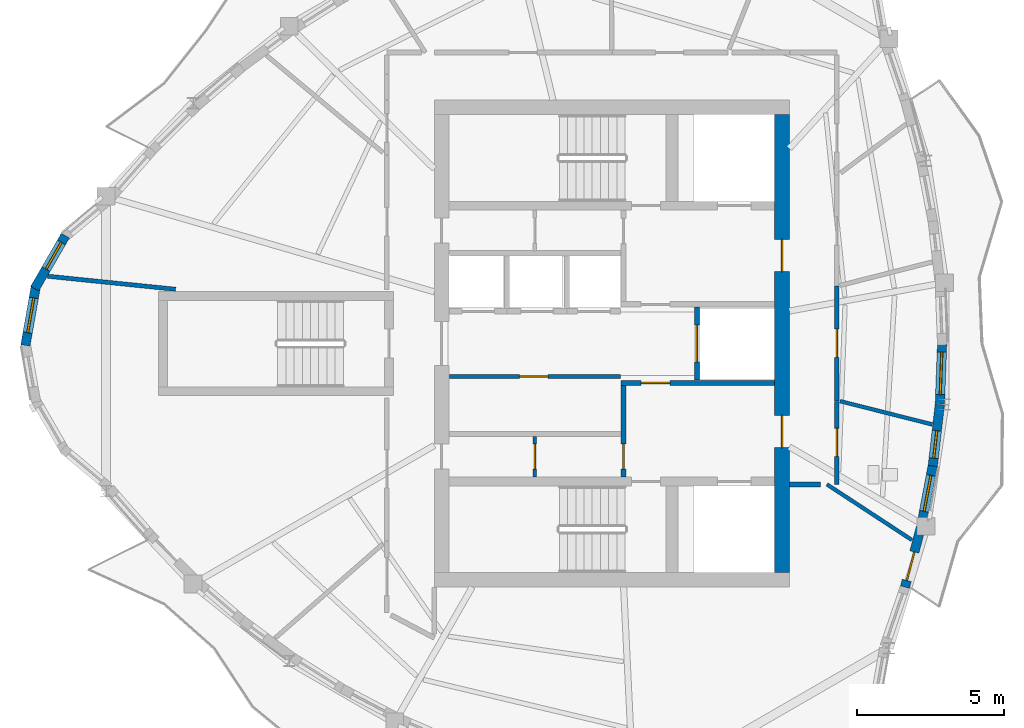
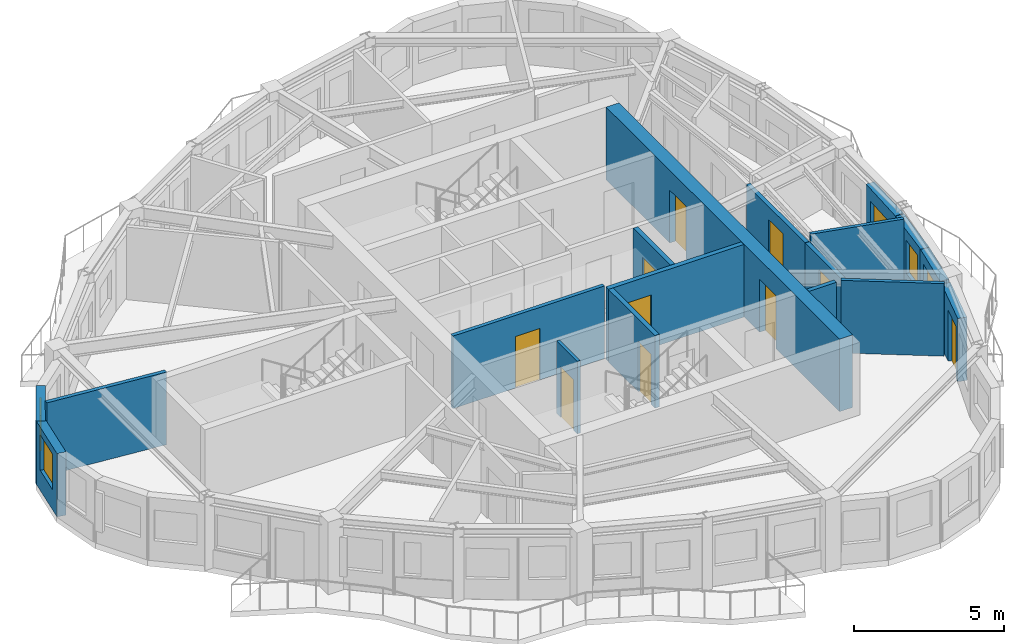
# One storey, part 4 of 11: 18 walls, 10 doors, 5 windows, 15 openings.
"""IFC4 building model written with IfcOpenShell, lengths in metres."""

from ifc_helpers import new_model, si_unit, direction, frame, frame_2d, origin, place, context, subcontext, project, spatial, rectangle, extrude, source, transform, mapped, material, layer, layer_set, type_object, element, fill, save


model = new_model("IFC4")

# Units and contexts
model_context = context("Model", 3, precision=1e-05, world=origin(), true_north=direction((0.0, 1.0)))
body_context = subcontext(model_context, "Body", "Model", "MODEL_VIEW")
ifc_project = project(units=[si_unit("LENGTHUNIT", "METRE"), si_unit("AREAUNIT", "SQUARE_METRE"), si_unit("VOLUMEUNIT", "CUBIC_METRE"), si_unit("PLANEANGLEUNIT", "RADIAN"), si_unit("MASSUNIT", "GRAM", prefix="KILO")], contexts=[model_context])

# Site, building, storey
site_placement = place(None, origin())
site = spatial("IfcSite", under=ifc_project, at=site_placement, CompositionType="ELEMENT")
building_placement = place(site_placement, origin())
building = spatial("IfcBuilding", under=site, at=building_placement, Name="Qafzar Sky-Pleat Residences", CompositionType="ELEMENT")
storey_placement = place(building_placement, frame((0.0, 0.0, 237.199951171875)))
storey = spatial("IfcBuildingStorey", under=building, at=storey_placement, Name="L71", CompositionType="ELEMENT", Elevation=237.199951171875)

# Wall, opening, door
ifc_material_1 = material(Name="Acoustic gypsum plasterboard partition", Category="gypsum")
ifc_layer_1 = layer(ifc_material_1, 0.159912109375)
ifc_layer_set_1 = layer_set([ifc_layer_1], Name="Acoustic gypsum plasterboard partition")
wall_type_1 = type_object("IfcWallType", Name="PART-COR-160", PredefinedType="PARTITIONING", material=ifc_layer_set_1)
wall_1_placement = place(storey_placement, frame((38.02001953125, 27.968994140625, 0.0), z_axis=(0.0, 0.0, 1.0), x_axis=(0.0, -1.0, 0.0)))
wall_1 = element("IfcWall", 1, at=wall_1_placement, inside=storey, type_object=wall_type_1, Name="L71 Partition Wall PART-L71-PW-005", PredefinedType="PARTITIONING", context=body_context, shape_type="SweptSolid", body=[
    extrude(rectangle(XDim=3.919921875, YDim=0.159912109375, at=frame_2d((1.9599609375, 0.0))), origin(), (0.0, 0.0, 1.0), 2.6279296875),
])
opening_1_placement = place(wall_1_placement, frame((1.4794921875, 0.0, 0.0)))
opening_1 = element("IfcOpeningElement", 2, at=opening_1_placement, cuts=wall_1, Name="Opening ID-06", PredefinedType="OPENING", context=body_context, shape_type="SweptSolid", body=[
    extrude(rectangle(XDim=0.9599609375, YDim=2.10009765625, at=frame_2d((0.47998046875, 1.050048828125))), frame((0.0, 0.08984375, 0.0), z_axis=(0.0, -1.0, 0.0), x_axis=(1.0, 0.0, 0.0)), (0.0, 0.0, 1.0), 0.179931640625),
])
ifc_material_2 = material(Name="Timber-faced fire door", Category="wood")
door_type_1 = type_object("IfcDoorType", Name="DR-STD-960", OperationType="NOTDEFINED", PredefinedType="DOOR", material=ifc_material_2)
shared_shape_1 = source(origin(), body_context, "Body", "SweptSolid", [
    extrude(rectangle(XDim=0.9599609375, YDim=2.10009765625, at=frame_2d((0.47998046875, 1.050048828125))), frame((0.0, 0.02490234375, 0.0), z_axis=(0.0, -1.0, 0.0), x_axis=(1.0, 0.0, 0.0)), (0.0, 0.0, 1.0), 0.050048828125),
])
door_1_placement = place(opening_1_placement, origin())
door_1 = element("IfcDoor", 3, at=door_1_placement, inside=storey, type_object=door_type_1, Name="L71 Media Screening Room Door", OperationType="SINGLE_SWING_RIGHT", OverallHeight=2.10009765625, OverallWidth=0.9599609375, PredefinedType="DOOR", context=body_context, shape_type="MappedRepresentation", body=[
    mapped(shared_shape_1, transform((0.0, 0.0, 0.0), x_axis=(1.0, 0.0, 0.0), y_axis=(0.0, 1.0, 0.0), z_axis=(0.0, 0.0, 1.0), scale=1.0)),
])
fill(opening_1, door_1)

wall_2_placement = place(storey_placement, frame((38.02001953125, 24.033935546875, 0.0), z_axis=(0.0, 0.0, 1.0), x_axis=(0.0, -1.0, 0.0)))
wall_2 = element("IfcWall", 4, at=wall_2_placement, inside=storey, type_object=wall_type_1, Name="L71 Partition Wall PART-L71-PW-007", PredefinedType="PARTITIONING", context=body_context, shape_type="SweptSolid", body=[
    extrude(rectangle(XDim=2.833984375, YDim=0.159912109375, at=frame_2d((1.4169921875, 0.0))), origin(), (0.0, 0.0, 1.0), 2.6279296875),
])
opening_2_placement = place(wall_2_placement, frame((0.926513671875, 0.0, 0.0)))
opening_2 = element("IfcOpeningElement", 5, at=opening_2_placement, cuts=wall_2, Name="Opening ID-08", PredefinedType="OPENING", context=body_context, shape_type="SweptSolid", body=[
    extrude(rectangle(XDim=0.949951171875, YDim=2.10009765625, at=frame_2d((0.47509765625, 1.050048828125))), frame((0.0, 0.08984375, 0.0), z_axis=(0.0, -1.0, 0.0), x_axis=(1.0, 0.0, 0.0)), (0.0, 0.0, 1.0), 0.179931640625),
])
door_type_2 = type_object("IfcDoorType", Name="DR-AWC-950", OperationType="NOTDEFINED", PredefinedType="DOOR", material=ifc_material_2)
shared_shape_2 = source(origin(), body_context, "Body", "SweptSolid", [
    extrude(rectangle(XDim=0.949951171875, YDim=2.10009765625, at=frame_2d((0.47509765625, 1.050048828125))), frame((0.0, 0.02490234375, 0.0), z_axis=(0.0, -1.0, 0.0), x_axis=(1.0, 0.0, 0.0)), (0.0, 0.0, 1.0), 0.050048828125),
])
door_2_placement = place(opening_2_placement, origin())
door_2 = element("IfcDoor", 6, at=door_2_placement, inside=storey, type_object=door_type_2, Name="L71 Accessible Shared Washroom Door", OperationType="SINGLE_SWING_RIGHT", OverallHeight=2.10009765625, OverallWidth=0.949951171875, PredefinedType="DOOR", context=body_context, shape_type="MappedRepresentation", body=[
    mapped(shared_shape_2, transform((0.0, 0.0, 0.0), x_axis=(1.0, 0.0, 0.0), y_axis=(0.0, 1.0, 0.0), z_axis=(0.0, 0.0, 1.0), scale=1.0)),
])
fill(opening_2, door_2)

# Wall
wall_3_placement = place(storey_placement, frame((36.407958984375, 21.199951171875, 0.0), z_axis=(0.0, 0.0, 1.0), x_axis=(1.0, 0.0, 0.0)))
element("IfcWall", 7, at=wall_3_placement, inside=storey, type_object=wall_type_1, Name="L71 Partition Wall PART-L71-PW-027", PredefinedType="PARTITIONING", context=body_context, shape_type="SweptSolid", body=[
    extrude(rectangle(XDim=1.06103515625, YDim=0.159912109375, at=frame_2d((0.530517578125, 0.0))), origin(), (0.0, 0.0, 1.0), 2.9599609375),
])

# Wall, opening, door
ifc_material_3 = material(Name="Concrete blockwork partition", Category="masonry")
ifc_layer_2 = layer(ifc_material_3, 0.179931640625)
ifc_layer_set_2 = layer_set([ifc_layer_2], Name="Concrete blockwork partition")
wall_type_2 = type_object("IfcWallType", Name="PART-SHAFT-180", PredefinedType="PARTITIONING", material=ifc_layer_set_2)
wall_4_placement = place(storey_placement, frame((30.75, 21.4599609375, 0.0), z_axis=(0.0, 0.0, 1.0), x_axis=(0.0, 1.0, 0.0)))
wall_4 = element("IfcWall", 8, at=wall_4_placement, inside=storey, type_object=wall_type_2, Name="L71 Partition Wall PART-L71-FFL1-W", PredefinedType="PARTITIONING", context=body_context, shape_type="SweptSolid", body=[
    extrude(rectangle(XDim=3.110107421875, YDim=0.179931640625, at=frame_2d((1.55517578125, 0.0))), origin(), (0.0, 0.0, 1.0), 2.9599609375),
])
opening_3_placement = place(wall_4_placement, frame((0.260009765625, 0.0, 0.0)))
opening_3 = element("IfcOpeningElement", 9, at=opening_3_placement, cuts=wall_4, Name="Opening ID-09", PredefinedType="OPENING", context=body_context, shape_type="SweptSolid", body=[
    extrude(rectangle(XDim=0.860107421875, YDim=2.050048828125, at=frame_2d((0.43017578125, 1.02490234375))), frame((0.0, 0.10009765625, 0.0), z_axis=(0.0, -1.0, 0.0), x_axis=(1.0, 0.0, 0.0)), (0.0, 0.0, 1.0), 0.199951171875),
])
door_type_3 = type_object("IfcDoorType", Name="DR-SVC-860", OperationType="NOTDEFINED", PredefinedType="DOOR", material=ifc_material_2)
shared_shape_3 = source(origin(), body_context, "Body", "SweptSolid", [
    extrude(rectangle(XDim=0.860107421875, YDim=2.050048828125, at=frame_2d((0.43017578125, 1.02490234375))), frame((0.0, 0.02490234375, 0.0), z_axis=(0.0, -1.0, 0.0), x_axis=(1.0, 0.0, 0.0)), (0.0, 0.0, 1.0), 0.050048828125),
])
door_3_placement = place(opening_3_placement, origin())
door_3 = element("IfcDoor", 10, at=door_3_placement, inside=storey, type_object=door_type_3, Name="L71 South Core Cupboard Door", OperationType="SINGLE_SWING_RIGHT", OverallHeight=2.050048828125, OverallWidth=0.860107421875, PredefinedType="DOOR", context=body_context, shape_type="MappedRepresentation", body=[
    mapped(shared_shape_3, transform((0.0, 0.0, 0.0), x_axis=(1.0, 0.0, 0.0), y_axis=(0.0, 1.0, 0.0), z_axis=(0.0, 0.0, 1.0), scale=1.0)),
])
fill(opening_3, door_3)

wall_5_placement = place(storey_placement, frame((30.669921875, 24.659912109375, 0.0), z_axis=(0.0, 0.0, 1.0), x_axis=(1.0, 0.0, 0.0)))
wall_5 = element("IfcWall", 11, at=wall_5_placement, inside=storey, type_object=wall_type_2, Name="L71 Partition Wall PART-L71-FFL1-N", PredefinedType="PARTITIONING", context=body_context, shape_type="SweptSolid", body=[
    extrude(rectangle(XDim=5.219970703125, YDim=0.179931640625, at=frame_2d((2.60986328125, 0.0))), origin(), (0.0, 0.0, 1.0), 2.9599609375),
])
opening_4_placement = place(wall_5_placement, frame((0.679931640625, 0.0, 0.0)))
opening_4 = element("IfcOpeningElement", 12, at=opening_4_placement, cuts=wall_5, Name="Opening ID-01", PredefinedType="OPENING", context=body_context, shape_type="SweptSolid", body=[
    extrude(rectangle(XDim=0.97998046875, YDim=2.14990234375, at=frame_2d((0.489990234375, 1.074951171875))), frame((0.0, 0.10009765625, 0.0), z_axis=(0.0, -1.0, 0.0), x_axis=(1.0, 0.0, 0.0)), (0.0, 0.0, 1.0), 0.199951171875),
])
door_type_4 = type_object("IfcDoorType", Name="DR-STAIR-980", OperationType="NOTDEFINED", PredefinedType="DOOR", material=ifc_material_2)
shared_shape_4 = source(origin(), body_context, "Body", "SweptSolid", [
    extrude(rectangle(XDim=0.97998046875, YDim=2.14990234375, at=frame_2d((0.489990234375, 1.074951171875))), frame((0.0, 0.02490234375, 0.0), z_axis=(0.0, -1.0, 0.0), x_axis=(1.0, 0.0, 0.0)), (0.0, 0.0, 1.0), 0.050048828125),
])
door_4_placement = place(opening_4_placement, origin())
door_4 = element("IfcDoor", 13, at=door_4_placement, inside=storey, type_object=door_type_4, Name="L71 Lift Lobby to South Firefighting Lobby Door", OperationType="SINGLE_SWING_LEFT", OverallHeight=2.14990234375, OverallWidth=0.97998046875, PredefinedType="DOOR", context=body_context, shape_type="MappedRepresentation", body=[
    mapped(shared_shape_4, transform((0.0, 0.0, 0.0), x_axis=(1.0, 0.0, 0.0), y_axis=(0.0, 1.0, 0.0), z_axis=(0.0, 0.0, 1.0), scale=1.0)),
])
fill(opening_4, door_4)

wall_6_placement = place(storey_placement, frame((33.25, 24.760009765625, 0.0), z_axis=(0.0, 0.0, 1.0), x_axis=(0.0, 1.0, 0.0)))
wall_6 = element("IfcWall", 14, at=wall_6_placement, inside=storey, type_object=wall_type_2, Name="L71 Partition Wall PART-L71-SV1-W", PredefinedType="PARTITIONING", context=body_context, shape_type="SweptSolid", body=[
    extrude(rectangle(XDim=2.47998046875, YDim=0.179931640625, at=frame_2d((1.239990234375, 0.0))), origin(), (0.0, 0.0, 1.0), 2.9599609375),
])
opening_5_placement = place(wall_6_placement, frame((0.614990234375, 0.0, 0.0)))
opening_5 = element("IfcOpeningElement", 15, at=opening_5_placement, cuts=wall_6, Name="Opening LD-03", PredefinedType="OPENING", context=body_context, shape_type="SweptSolid", body=[
    extrude(rectangle(XDim=1.25, YDim=2.14990234375, at=frame_2d((0.625, 1.074951171875))), frame((0.0, 0.10009765625, 0.0), z_axis=(0.0, -1.0, 0.0), x_axis=(1.0, 0.0, 0.0)), (0.0, 0.0, 1.0), 0.199951171875),
])
ifc_material_4 = material(Name="Stainless steel sliding landing door", Category="steel")
door_type_5 = type_object("IfcDoorType", Name="DR-LIFT-SV", OperationType="DOUBLE_DOOR_SLIDING", PredefinedType="DOOR", material=ifc_material_4)
shared_shape_5 = source(origin(), body_context, "Body", "SweptSolid", [
    extrude(rectangle(XDim=1.25, YDim=2.14990234375, at=frame_2d((0.625, 1.074951171875))), frame((0.0, 0.02490234375, 0.0), z_axis=(0.0, -1.0, 0.0), x_axis=(1.0, 0.0, 0.0)), (0.0, 0.0, 1.0), 0.050048828125),
])
door_5_placement = place(opening_5_placement, origin())
door_5 = element("IfcDoor", 16, at=door_5_placement, inside=storey, type_object=door_type_5, Name="L71 Service Lift SV1 Landing Door", OperationType="DOUBLE_DOOR_SLIDING", OverallHeight=2.14990234375, OverallWidth=1.25, PredefinedType="DOOR", context=body_context, shape_type="MappedRepresentation", body=[
    mapped(shared_shape_5, transform((0.0, 0.0, 0.0), x_axis=(1.0, 0.0, 0.0), y_axis=(0.0, 1.0, 0.0), z_axis=(0.0, 0.0, 1.0), scale=1.0)),
])
fill(opening_5, door_5)

ifc_material_5 = material(Name="Gypsum plasterboard partition", Category="gypsum")
ifc_layer_3 = layer(ifc_material_5, 0.114990234375)
ifc_layer_set_3 = layer_set([ifc_layer_3], Name="Gypsum plasterboard partition")
wall_type_3 = type_object("IfcWallType", Name="PART-SVC-115", PredefinedType="PARTITIONING", material=ifc_layer_set_3)
wall_7_placement = place(storey_placement, frame((27.72509765625, 21.4599609375, 0.0), z_axis=(0.0, 0.0, 1.0), x_axis=(0.0, 1.0, 0.0)))
wall_7 = element("IfcWall", 17, at=wall_7_placement, inside=storey, type_object=wall_type_3, Name="L71 Partition Wall PART-L71-KB-SW", PredefinedType="PARTITIONING", context=body_context, shape_type="SweptSolid", body=[
    extrude(rectangle(XDim=1.380126953125, YDim=0.114990234375, at=frame_2d((0.68994140625, 0.0))), origin(), (0.0, 0.0, 1.0), 2.9599609375),
])
opening_6_placement = place(wall_7_placement, frame((0.260009765625, 0.0, 0.0)))
opening_6 = element("IfcOpeningElement", 18, at=opening_6_placement, cuts=wall_7, Name="Opening ID-09", PredefinedType="OPENING", context=body_context, shape_type="SweptSolid", body=[
    extrude(rectangle(XDim=0.860107421875, YDim=2.050048828125, at=frame_2d((0.43017578125, 1.02490234375))), frame((0.0, 0.0673828125, 0.0), z_axis=(0.0, -1.0, 0.0), x_axis=(1.0, 0.0, 0.0)), (0.0, 0.0, 1.0), 0.135009765625),
])
door_6_placement = place(opening_6_placement, origin())
door_6 = element("IfcDoor", 19, at=door_6_placement, inside=storey, type_object=door_type_3, Name="L71 BMS Metering Cupboard Door", OperationType="SINGLE_SWING_LEFT", OverallHeight=2.050048828125, OverallWidth=0.860107421875, PredefinedType="DOOR", context=body_context, shape_type="MappedRepresentation", body=[
    mapped(shared_shape_3, transform((0.0, 0.0, 0.0), x_axis=(1.0, 0.0, 0.0), y_axis=(0.0, 1.0, 0.0), z_axis=(0.0, 0.0, 1.0), scale=1.0)),
])
fill(opening_6, door_6)

ifc_layer_4 = layer(ifc_material_1, 0.14501953125)
ifc_layer_set_4 = layer_set([ifc_layer_4], Name="Acoustic gypsum plasterboard partition")
wall_type_4 = type_object("IfcWallType", Name="PART-UNIT-145", PredefinedType="PARTITIONING", material=ifc_layer_set_4)
wall_8_placement = place(storey_placement, frame((24.81005859375, 24.8798828125, 0.0), z_axis=(0.0, 0.0, 1.0), x_axis=(1.0, 0.0, 0.0)))
wall_8 = element("IfcWall", 20, at=wall_8_placement, inside=storey, type_object=wall_type_4, Name="L71 Partition Wall PART-L71-RECLAIM-N", PredefinedType="PARTITIONING", context=body_context, shape_type="SweptSolid", body=[
    extrude(rectangle(XDim=5.83984375, YDim=0.14501953125, at=frame_2d((2.919921875, 0.0))), origin(), (0.0, 0.0, 1.0), 2.9599609375),
])
opening_7_placement = place(wall_8_placement, frame((2.39990234375, 0.0, 0.0)))
opening_7 = element("IfcOpeningElement", 21, at=opening_7_placement, cuts=wall_8, Name="Opening ID-06", PredefinedType="OPENING", context=body_context, shape_type="SweptSolid", body=[
    extrude(rectangle(XDim=0.9599609375, YDim=2.10009765625, at=frame_2d((0.47998046875, 1.050048828125))), frame((0.0, 0.08251953125, 0.0), z_axis=(0.0, -1.0, 0.0), x_axis=(1.0, 0.0, 0.0)), (0.0, 0.0, 1.0), 0.1650390625),
])
door_7_placement = place(opening_7_placement, origin())
door_7 = element("IfcDoor", 22, at=door_7_placement, inside=storey, type_object=door_type_1, Name="L71 Reclaimed Resident Laundry Room Door", OperationType="SINGLE_SWING_RIGHT", OverallHeight=2.10009765625, OverallWidth=0.9599609375, PredefinedType="DOOR", context=body_context, shape_type="MappedRepresentation", body=[
    mapped(shared_shape_1, transform((0.0, 0.0, 0.0), x_axis=(1.0, 0.0, 0.0), y_axis=(0.0, 1.0, 0.0), z_axis=(0.0, 0.0, 1.0), scale=1.0)),
])
fill(opening_7, door_7)

# Walls
wall_9_placement = place(storey_placement, frame((11.1220703125, 28.29541015625, 0.0), z_axis=(0.0, 0.0, 1.0), x_axis=(0.994824263869, -0.101610452307, 0.0)))
element("IfcWall", 23, at=wall_9_placement, inside=storey, type_object=wall_type_4, Name="L71 Partition Wall PART-L71-PW-015", PredefinedType="PARTITIONING", context=body_context, shape_type="SweptSolid", body=[
    extrude(rectangle(XDim=4.382568359375, YDim=0.14501953125, at=frame_2d((2.19140625, 0.0))), origin(), (0.0, 0.0, 1.0), 2.9599609375),
])
ifc_material_6 = material(Name="Moisture-resistant gypsum partition", Category="gypsum")
ifc_layer_5 = layer(ifc_material_6, 0.1298828125)
ifc_layer_set_5 = layer_set([ifc_layer_5], Name="Moisture-resistant gypsum partition")
wall_type_5 = type_object("IfcWallType", Name="PART-WET-130", PredefinedType="PARTITIONING", material=ifc_layer_set_5)
wall_10_placement = place(storey_placement, frame((37.681884765625, 21.199951171875, 0.0), z_axis=(0.0, 0.0, 1.0), x_axis=(0.836735641589, -0.547607036199, 0.0)))
element("IfcWall", 24, at=wall_10_placement, inside=storey, type_object=wall_type_5, Name="L71 Partition Wall PART-L71-PW-016", PredefinedType="PARTITIONING", context=body_context, shape_type="SweptSolid", body=[
    extrude(rectangle(XDim=3.45703125, YDim=0.1298828125, at=frame_2d((1.728515625, 0.0))), origin(), (0.0, 0.0, 1.0), 2.9599609375),
])
wall_11_placement = place(storey_placement, frame((38.123779296875, 24.038818359375, 0.0), z_axis=(0.0, 0.0, 1.0), x_axis=(0.969564932613, -0.244834314275, 0.0)))
element("IfcWall", 25, at=wall_11_placement, inside=storey, type_object=wall_type_5, Name="L71 Partition Wall PART-L71-PW-017", PredefinedType="PARTITIONING", context=body_context, shape_type="SweptSolid", body=[
    extrude(rectangle(XDim=3.247802734375, YDim=0.1298828125, at=frame_2d((1.6240234375, 0.0))), origin(), (0.0, 0.0, 1.0), 2.9599609375),
])

# Wall, opening, window
ifc_material_7 = material(Name="Precast concrete C40/50 with honed Riyadh limestone", Category="concrete")
ifc_layer_6 = layer(ifc_material_7, 0.320068359375)
ifc_layer_set_6 = layer_set([ifc_layer_6], Name="Precast concrete C40/50 with honed Riyadh limestone")
wall_type_6 = type_object("IfcWallType", Name="WALL-EXT-320", PredefinedType="SOLIDWALL", material=ifc_layer_set_6)
wall_12_placement = place(storey_placement, frame((11.724609375, 29.68115234375, 0.0), z_axis=(0.0, 0.0, 1.0), x_axis=(-0.499995423472, -0.866028046028, 0.0)))
wall_12 = element("IfcWall", 26, at=wall_12_placement, inside=storey, type_object=wall_type_6, Name="L71 Limestone Facade Wall 2", PredefinedType="SOLIDWALL", context=body_context, shape_type="SweptSolid", body=[
    extrude(rectangle(XDim=2.09033203125, YDim=0.320068359375, at=frame_2d((1.045166015625, 0.0))), origin(), (0.0, 0.0, 1.0), 2.580078125),
])
opening_8_placement = place(wall_12_placement, frame((0.27001953125, 0.0, 0.820068359375)))
opening_8 = element("IfcOpeningElement", 27, at=opening_8_placement, cuts=wall_12, Name="Opening WN-06", PredefinedType="OPENING", context=body_context, shape_type="SweptSolid", body=[
    extrude(rectangle(XDim=1.050048828125, YDim=1.449951171875, at=frame_2d((0.52490234375, 0.72509765625))), frame((0.0, 0.169921875, 0.0), z_axis=(0.0, -1.0, 0.0), x_axis=(1.0, 0.0, 0.0)), (0.0, 0.0, 1.0), 0.340087890625),
])
ifc_material_8 = material(Name="Solar-control low-E glass in bronze aluminium frame", Category="glass")
window_type_1 = type_object("IfcWindowType", Name="WIN-06", PartitioningType="SINGLE_PANEL", PredefinedType="WINDOW", material=ifc_material_8)
shared_shape_6 = source(origin(), body_context, "Body", "SweptSolid", [
    extrude(rectangle(XDim=1.050048828125, YDim=1.449951171875, at=frame_2d((0.52490234375, 0.72509765625))), frame((0.0, 0.030029296875, 0.0), z_axis=(0.0, -1.0, 0.0), x_axis=(1.0, 0.0, 0.0)), (0.0, 0.0, 1.0), 0.06005859375),
])
window_1_placement = place(opening_8_placement, origin())
window_1 = element("IfcWindow", 28, at=window_1_placement, inside=storey, type_object=window_type_1, Name="L71 Punched Facade Window 02", OverallHeight=1.449951171875, OverallWidth=1.050048828125, PartitioningType="SINGLE_PANEL", PredefinedType="WINDOW", context=body_context, shape_type="MappedRepresentation", body=[
    mapped(shared_shape_6, transform((0.0, 0.0, 0.0), x_axis=(1.0, 0.0, 0.0), y_axis=(0.0, 1.0, 0.0), z_axis=(0.0, 0.0, 1.0), scale=1.0)),
])
fill(opening_8, window_1)

wall_13_placement = place(storey_placement, frame((10.72412109375, 27.993408203125, 0.0), z_axis=(0.0, 0.0, 1.0), x_axis=(-0.173672066494, -0.984803540469, 0.0)))
wall_13 = element("IfcWall", 29, at=wall_13_placement, inside=storey, type_object=wall_type_6, Name="L71 Limestone Facade Wall 3", PredefinedType="SOLIDWALL", context=body_context, shape_type="SweptSolid", body=[
    extrude(rectangle(XDim=2.09033203125, YDim=0.320068359375, at=frame_2d((1.045166015625, 0.0))), origin(), (0.0, 0.0, 1.0), 2.580078125),
])
opening_9_placement = place(wall_13_placement, frame((0.4453125, 0.0, 0.820068359375)))
opening_9 = element("IfcOpeningElement", 30, at=opening_9_placement, cuts=wall_13, Name="Opening WN-05", PredefinedType="OPENING", context=body_context, shape_type="SweptSolid", body=[
    extrude(rectangle(XDim=1.199951171875, YDim=1.449951171875, at=frame_2d((0.60009765625, 0.72509765625))), frame((0.0, 0.169921875, 0.0), z_axis=(0.0, -1.0, 0.0), x_axis=(1.0, 0.0, 0.0)), (0.0, 0.0, 1.0), 0.340087890625),
])
window_type_2 = type_object("IfcWindowType", Name="WIN-05", PartitioningType="SINGLE_PANEL", PredefinedType="WINDOW", material=ifc_material_8)
shared_shape_7 = source(origin(), body_context, "Body", "SweptSolid", [
    extrude(rectangle(XDim=1.199951171875, YDim=1.449951171875, at=frame_2d((0.60009765625, 0.72509765625))), frame((0.0, 0.030029296875, 0.0), z_axis=(0.0, -1.0, 0.0), x_axis=(1.0, 0.0, 0.0)), (0.0, 0.0, 1.0), 0.06005859375),
])
window_2_placement = place(opening_9_placement, origin())
window_2 = element("IfcWindow", 31, at=window_2_placement, inside=storey, type_object=window_type_2, Name="L71 Punched Facade Window 03", OverallHeight=1.449951171875, OverallWidth=1.199951171875, PartitioningType="SINGLE_PANEL", PredefinedType="WINDOW", context=body_context, shape_type="MappedRepresentation", body=[
    mapped(shared_shape_7, transform((0.0, 0.0, 0.0), x_axis=(1.0, 0.0, 0.0), y_axis=(0.0, 1.0, 0.0), z_axis=(0.0, 0.0, 1.0), scale=1.0)),
])
fill(opening_9, window_2)

# Wall, opening, door
wall_14_placement = place(storey_placement, frame((40.3408203125, 17.697509765625, 0.0), z_axis=(0.0, 0.0, 1.0), x_axis=(0.257053933935, 0.966397058692, 0.0)))
wall_14 = element("IfcWall", 32, at=wall_14_placement, inside=storey, type_object=wall_type_6, Name="L71 Limestone Facade Wall 24", PredefinedType="SOLIDWALL", context=body_context, shape_type="SweptSolid", body=[
    extrude(rectangle(XDim=2.09716796875, YDim=0.320068359375, at=frame_2d((1.048583984375, 0.0))), origin(), (0.0, 0.0, 1.0), 2.580078125),
])
opening_10_placement = place(wall_14_placement, frame((0.239990234375, 0.0, 0.0)))
opening_10 = element("IfcOpeningElement", 33, at=opening_10_placement, cuts=wall_14, Name="Opening ED-05", PredefinedType="OPENING", context=body_context, shape_type="SweptSolid", body=[
    extrude(rectangle(XDim=1.0, YDim=2.10009765625, at=frame_2d((0.5, 1.050048828125))), frame((0.0, 0.169921875, 0.0), z_axis=(0.0, -1.0, 0.0), x_axis=(1.0, 0.0, 0.0)), (0.0, 0.0, 1.0), 0.340087890625),
])
ifc_material_9 = material(Name="Glazed bronze aluminium door", Category="aluminium")
door_type_6 = type_object("IfcDoorType", Name="DR-BAL-1000", OperationType="NOTDEFINED", PredefinedType="DOOR", material=ifc_material_9)
shared_shape_8 = source(origin(), body_context, "Body", "SweptSolid", [
    extrude(rectangle(XDim=1.0, YDim=2.10009765625, at=frame_2d((0.5, 1.050048828125))), frame((0.0, 0.02490234375, 0.0), z_axis=(0.0, -1.0, 0.0), x_axis=(1.0, 0.0, 0.0)), (0.0, 0.0, 1.0), 0.050048828125),
])
door_8_placement = place(opening_10_placement, origin())
door_8 = element("IfcDoor", 34, at=door_8_placement, inside=storey, type_object=door_type_6, Name="L71 Glazed Balcony Door 1", OperationType="SINGLE_SWING_LEFT", OverallHeight=2.10009765625, OverallWidth=1.0, PredefinedType="DOOR", context=body_context, shape_type="MappedRepresentation", body=[
    mapped(shared_shape_8, transform((0.0, 0.0, 0.0), x_axis=(1.0, 0.0, 0.0), y_axis=(0.0, 1.0, 0.0), z_axis=(0.0, 0.0, 1.0), scale=1.0)),
])
fill(opening_10, door_8)

# Wall, opening, window
wall_15_placement = place(storey_placement, frame((40.917236328125, 19.88818359375, 0.0), z_axis=(0.0, 0.0, 1.0), x_axis=(0.186611504025, 0.98243378737, 0.0)))
wall_15 = element("IfcWall", 35, at=wall_15_placement, inside=storey, type_object=wall_type_6, Name="L71 Limestone Facade Wall 25", PredefinedType="SOLIDWALL", context=body_context, shape_type="SweptSolid", body=[
    extrude(rectangle(XDim=2.061767578125, YDim=0.320068359375, at=frame_2d((1.03076171875, 0.0))), origin(), (0.0, 0.0, 1.0), 2.580078125),
])
opening_11_placement = place(wall_15_placement, frame((0.40087890625, 0.0, 0.820068359375)))
opening_11 = element("IfcOpeningElement", 36, at=opening_11_placement, cuts=wall_15, Name="Opening WN-11", PredefinedType="OPENING", context=body_context, shape_type="SweptSolid", body=[
    extrude(rectangle(XDim=1.25, YDim=1.35009765625, at=frame_2d((0.625, 0.675048828125))), frame((0.0, 0.169921875, 0.0), z_axis=(0.0, -1.0, 0.0), x_axis=(1.0, 0.0, 0.0)), (0.0, 0.0, 1.0), 0.340087890625),
])
window_type_3 = type_object("IfcWindowType", Name="WIN-11", PartitioningType="SINGLE_PANEL", PredefinedType="WINDOW", material=ifc_material_8)
shared_shape_9 = source(origin(), body_context, "Body", "SweptSolid", [
    extrude(rectangle(XDim=1.25, YDim=1.35009765625, at=frame_2d((0.625, 0.675048828125))), frame((0.0, 0.030029296875, 0.0), z_axis=(0.0, -1.0, 0.0), x_axis=(1.0, 0.0, 0.0)), (0.0, 0.0, 1.0), 0.06005859375),
])
window_3_placement = place(opening_11_placement, origin())
window_3 = element("IfcWindow", 37, at=window_3_placement, inside=storey, type_object=window_type_3, Name="L71 Punched Facade Window 25", OverallHeight=1.35009765625, OverallWidth=1.25, PartitioningType="SINGLE_PANEL", PredefinedType="WINDOW", context=body_context, shape_type="MappedRepresentation", body=[
    mapped(shared_shape_9, transform((0.0, 0.0, 0.0), x_axis=(1.0, 0.0, 0.0), y_axis=(0.0, 1.0, 0.0), z_axis=(0.0, 0.0, 1.0), scale=1.0)),
])
fill(opening_11, window_3)

wall_16_placement = place(storey_placement, frame((41.288818359375, 21.826904296875, 0.0), z_axis=(0.0, 0.0, 1.0), x_axis=(0.113366965958, 0.993553184802, 0.0)))
wall_16 = element("IfcWall", 38, at=wall_16_placement, inside=storey, type_object=wall_type_6, Name="L71 Limestone Facade Wall 26", PredefinedType="SOLIDWALL", context=body_context, shape_type="SweptSolid", body=[
    extrude(rectangle(XDim=2.1083984375, YDim=0.320068359375, at=frame_2d((1.05419921875, 0.0))), origin(), (0.0, 0.0, 1.0), 2.580078125),
])
opening_12_placement = place(wall_16_placement, frame((0.26611328125, 0.0, 0.820068359375)))
opening_12 = element("IfcOpeningElement", 39, at=opening_12_placement, cuts=wall_16, Name="Opening WN-12", PredefinedType="OPENING", context=body_context, shape_type="SweptSolid", body=[
    extrude(rectangle(XDim=0.949951171875, YDim=1.35009765625, at=frame_2d((0.47509765625, 0.675048828125))), frame((0.0, 0.169921875, 0.0), z_axis=(0.0, -1.0, 0.0), x_axis=(1.0, 0.0, 0.0)), (0.0, 0.0, 1.0), 0.340087890625),
])
window_type_4 = type_object("IfcWindowType", Name="WIN-12", PartitioningType="SINGLE_PANEL", PredefinedType="WINDOW", material=ifc_material_8)
shared_shape_10 = source(origin(), body_context, "Body", "SweptSolid", [
    extrude(rectangle(XDim=0.949951171875, YDim=1.35009765625, at=frame_2d((0.47509765625, 0.675048828125))), frame((0.0, 0.030029296875, 0.0), z_axis=(0.0, -1.0, 0.0), x_axis=(1.0, 0.0, 0.0)), (0.0, 0.0, 1.0), 0.06005859375),
])
window_4_placement = place(opening_12_placement, origin())
window_4 = element("IfcWindow", 40, at=window_4_placement, inside=storey, type_object=window_type_4, Name="L71 Punched Facade Window 26", OverallHeight=1.35009765625, OverallWidth=0.949951171875, PartitioningType="SINGLE_PANEL", PredefinedType="WINDOW", context=body_context, shape_type="MappedRepresentation", body=[
    mapped(shared_shape_10, transform((0.0, 0.0, 0.0), x_axis=(1.0, 0.0, 0.0), y_axis=(0.0, 1.0, 0.0), z_axis=(0.0, 0.0, 1.0), scale=1.0)),
])
fill(opening_12, window_4)

wall_17_placement = place(storey_placement, frame((41.52978515625, 23.949462890625, 0.0), z_axis=(0.0, 0.0, 1.0), x_axis=(0.038088671965, 0.99927436326, 0.0)))
wall_17 = element("IfcWall", 41, at=wall_17_placement, inside=storey, type_object=wall_type_6, Name="L71 Limestone Facade Wall 27", PredefinedType="SOLIDWALL", context=body_context, shape_type="SweptSolid", body=[
    extrude(rectangle(XDim=2.095947265625, YDim=0.320068359375, at=frame_2d((1.0478515625, 0.0))), origin(), (0.0, 0.0, 1.0), 2.580078125),
])
opening_13_placement = place(wall_17_placement, frame((0.31298828125, 0.0, 0.820068359375)))
opening_13 = element("IfcOpeningElement", 42, at=opening_13_placement, cuts=wall_17, Name="Opening WN-15", PredefinedType="OPENING", context=body_context, shape_type="SweptSolid", body=[
    extrude(rectangle(XDim=1.449951171875, YDim=1.25, at=frame_2d((0.72509765625, 0.625))), frame((0.0, 0.169921875, 0.0), z_axis=(0.0, -1.0, 0.0), x_axis=(1.0, 0.0, 0.0)), (0.0, 0.0, 1.0), 0.340087890625),
])
window_type_5 = type_object("IfcWindowType", Name="WIN-15", PartitioningType="SINGLE_PANEL", PredefinedType="WINDOW", material=ifc_material_8)
shared_shape_11 = source(origin(), body_context, "Body", "SweptSolid", [
    extrude(rectangle(XDim=1.449951171875, YDim=1.25, at=frame_2d((0.72509765625, 0.625))), frame((0.0, 0.030029296875, 0.0), z_axis=(0.0, -1.0, 0.0), x_axis=(1.0, 0.0, 0.0)), (0.0, 0.0, 1.0), 0.06005859375),
])
window_5_placement = place(opening_13_placement, origin())
window_5 = element("IfcWindow", 43, at=window_5_placement, inside=storey, type_object=window_type_5, Name="L71 Punched Facade Window 27", OverallHeight=1.25, OverallWidth=1.449951171875, PartitioningType="SINGLE_PANEL", PredefinedType="WINDOW", context=body_context, shape_type="MappedRepresentation", body=[
    mapped(shared_shape_11, transform((0.0, 0.0, 0.0), x_axis=(1.0, 0.0, 0.0), y_axis=(0.0, 1.0, 0.0), z_axis=(0.0, 0.0, 1.0), scale=1.0)),
])
fill(opening_13, window_5)

# Wall, openings, doors
ifc_material_10 = material(Name="Concrete C60/75", Category="concrete")
ifc_layer_7 = layer(ifc_material_10, 0.5)
ifc_layer_set_7 = layer_set([ifc_layer_7], Name="Concrete C60/75")
wall_type_7 = type_object("IfcWallType", Name="WALL-SHEAR-500", PredefinedType="SHEAR", material=ifc_layer_set_7)
wall_18_placement = place(storey_placement, frame((36.14990234375, 18.199951171875, 0.0), z_axis=(0.0, 0.0, 1.0), x_axis=(0.0, 1.0, 0.0)))
wall_18 = element("IfcWall", 44, at=wall_18_placement, inside=storey, type_object=wall_type_7, Name="L71 CORE wall E", PredefinedType="SHEAR", context=body_context, shape_type="SweptSolid", body=[
    extrude(rectangle(XDim=15.60009765625, YDim=0.5, at=frame_2d((7.800048828125, 0.0))), origin(), (0.0, 0.0, 1.0), 2.9599609375),
])
opening_14_placement = place(wall_18_placement, frame((4.25, 0.0, 0.0)))
opening_14 = element("IfcOpeningElement", 45, at=opening_14_placement, cuts=wall_18, Name="Opening ID-02", PredefinedType="OPENING", context=body_context, shape_type="SweptSolid", body=[
    extrude(rectangle(XDim=1.10009765625, YDim=2.14990234375, at=frame_2d((0.550048828125, 1.074951171875))), frame((0.0, 0.260009765625, 0.0), z_axis=(0.0, -1.0, 0.0), x_axis=(1.0, 0.0, 0.0)), (0.0, 0.0, 1.0), 0.52001953125),
])
opening_15_placement = place(wall_18_placement, frame((10.25, 0.0, 0.0)))
opening_15 = element("IfcOpeningElement", 46, at=opening_15_placement, cuts=wall_18, Name="Opening ID-02", PredefinedType="OPENING", context=body_context, shape_type="SweptSolid", body=[
    extrude(rectangle(XDim=1.10009765625, YDim=2.14990234375, at=frame_2d((0.550048828125, 1.074951171875))), frame((0.0, 0.260009765625, 0.0), z_axis=(0.0, -1.0, 0.0), x_axis=(1.0, 0.0, 0.0)), (0.0, 0.0, 1.0), 0.52001953125),
])
door_type_7 = type_object("IfcDoorType", Name="DR-FFL-1100", OperationType="NOTDEFINED", PredefinedType="DOOR", material=ifc_material_2)
shared_shape_12 = source(origin(), body_context, "Body", "SweptSolid", [
    extrude(rectangle(XDim=1.10009765625, YDim=2.14990234375, at=frame_2d((0.550048828125, 1.074951171875))), frame((0.0, 0.02490234375, 0.0), z_axis=(0.0, -1.0, 0.0), x_axis=(1.0, 0.0, 0.0)), (0.0, 0.0, 1.0), 0.050048828125),
])
door_9_placement = place(opening_14_placement, origin())
door_9 = element("IfcDoor", 47, at=door_9_placement, inside=storey, type_object=door_type_7, Name="L71 Firefighting Lobby South Corridor Door", OperationType="SINGLE_SWING_RIGHT", OverallHeight=2.14990234375, OverallWidth=1.10009765625, PredefinedType="DOOR", context=body_context, shape_type="MappedRepresentation", body=[
    mapped(shared_shape_12, transform((0.0, 0.0, 0.0), x_axis=(1.0, 0.0, 0.0), y_axis=(0.0, 1.0, 0.0), z_axis=(0.0, 0.0, 1.0), scale=1.0)),
])
fill(opening_14, door_9)
door_10_placement = place(opening_15_placement, origin())
door_10 = element("IfcDoor", 48, at=door_10_placement, inside=storey, type_object=door_type_7, Name="L71 Firefighting Lobby North Corridor Door", OperationType="SINGLE_SWING_LEFT", OverallHeight=2.14990234375, OverallWidth=1.10009765625, PredefinedType="DOOR", context=body_context, shape_type="MappedRepresentation", body=[
    mapped(shared_shape_12, transform((0.0, 0.0, 0.0), x_axis=(1.0, 0.0, 0.0), y_axis=(0.0, 1.0, 0.0), z_axis=(0.0, 0.0, 1.0), scale=1.0)),
])
fill(opening_15, door_10)

save(model, "model.ifc")
